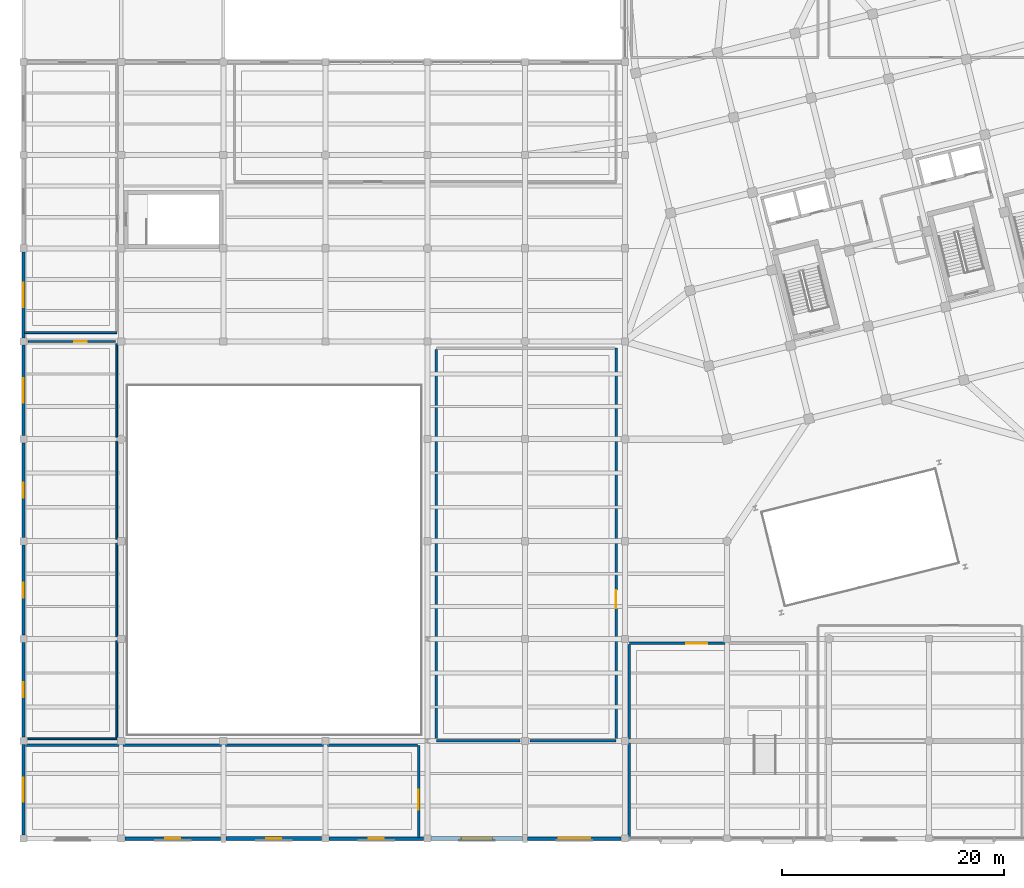
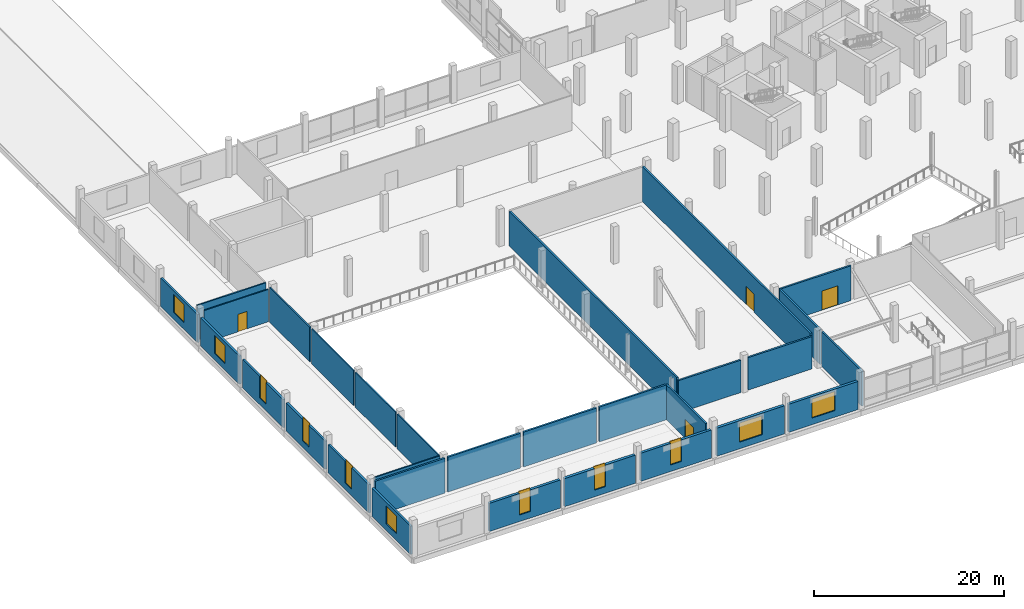
# One storey, part 56 of 71: 30 walls, 11 windows, 4 doors, 15 openings.
"""IFC4 building model written with IfcOpenShell, lengths in metres."""

from ifc_helpers import new_model, si_unit, direction, frame, frame_2d, origin, place, context, subcontext, project, spatial, rectangle, extrude, material, layer, layer_set, type_object, element, fill, save


model = new_model("IFC4")

# Units and contexts
model_context = context("Model", 3, precision=1e-05, world=origin(), true_north=direction((0.0, 1.0)))
body_context = subcontext(model_context, "Body", "Model", "MODEL_VIEW")
ifc_project = project(units=[si_unit("LENGTHUNIT", "METRE"), si_unit("AREAUNIT", "SQUARE_METRE"), si_unit("VOLUMEUNIT", "CUBIC_METRE"), si_unit("PLANEANGLEUNIT", "RADIAN"), si_unit("MASSUNIT", "GRAM", prefix="KILO")], contexts=[model_context])

# Site, building, storey
site_placement = place(None, origin())
site = spatial("IfcSite", under=ifc_project, at=site_placement, CompositionType="ELEMENT")
building_placement = place(site_placement, origin())
building = spatial("IfcBuilding", under=site, at=building_placement, Name="Meriwether Solvik Hall", CompositionType="ELEMENT")
storey_placement = place(building_placement, frame((0.0, 0.0, 5.10009765625)))
storey = spatial("IfcBuildingStorey", under=building, at=storey_placement, Name="L01", CompositionType="ELEMENT", Elevation=5.10009765625)

# Wall, opening, door
ifc_material_1 = material(Name="Acoustic Mineral-Wool Double Gypsum Board", Category="gypsum")
ifc_layer_1 = layer(ifc_material_1, 0.219970703125)
ifc_layer_set_1 = layer_set([ifc_layer_1], Name="Acoustic Mineral-Wool Double Gypsum Board")
wall_type_1 = type_object("IfcWallType", Name="WALL-ACST-220", PredefinedType="PARTITIONING", material=ifc_layer_set_1)
wall_1_placement = place(storey_placement, frame((40.800048828125, 5.300048828125, 0.0), z_axis=(0.0, 0.0, 1.0), x_axis=(0.0, 1.0, 0.0)))
wall_1 = element("IfcWall", 1, at=wall_1_placement, inside=storey, type_object=wall_type_1, Name="L01 Interior Partition choir_l01_e", PredefinedType="PARTITIONING", context=body_context, shape_type="SweptSolid", body=[
    extrude(rectangle(XDim=8.300048828125, YDim=0.219970703125, at=frame_2d((4.14990234375, 0.0))), origin(), (0.0, 0.0, 1.0), 4.469970703125),
])
opening_1_placement = place(wall_1_placement, frame((2.493896484375, 0.0, 0.0)))
opening_1 = element("IfcOpeningElement", 2, at=opening_1_placement, cuts=wall_1, Name="Opening D-182", PredefinedType="OPENING", context=body_context, shape_type="SweptSolid", body=[
    extrude(rectangle(XDim=1.800048828125, YDim=2.449951171875, at=frame_2d((0.89990234375, 1.22509765625))), frame((0.0, 0.1220703125, 0.0), z_axis=(0.0, -1.0, 0.0), x_axis=(1.0, 0.0, 0.0)), (0.0, 0.0, 1.0), 0.243896484375),
])
ifc_material_2 = material(Name="Solid-Core Rift White Oak Timber", Category="wood")
door_type_1 = type_object("IfcDoorType", Name="DR-AC-1800", OperationType="DOUBLE_DOOR_SINGLE_SWING", PredefinedType="DOOR", material=ifc_material_2)
door_1_placement = place(opening_1_placement, origin())
door_1 = element("IfcDoor", 3, at=door_1_placement, inside=storey, type_object=door_type_1, Name="Choir Rehearsal Studio Door", OperationType="DOUBLE_DOOR_SINGLE_SWING", OverallHeight=2.449951171875, OverallWidth=1.800048828125, PredefinedType="DOOR", context=body_context, shape_type="SweptSolid", body=[
    extrude(rectangle(XDim=1.800048828125, YDim=2.449951171875, at=frame_2d((0.89990234375, 1.22509765625))), frame((0.0, 0.02490234375, 0.0), z_axis=(0.0, -1.0, 0.0), x_axis=(1.0, 0.0, 0.0)), (0.0, 0.0, 1.0), 0.050048828125),
])
fill(opening_1, door_1)

# Walls
wall_2_placement = place(storey_placement, frame((40.679931640625, 13.60009765625, 0.0), z_axis=(0.0, 0.0, 1.0), x_axis=(-1.0, 0.0, 0.0)))
element("IfcWall", 4, at=wall_2_placement, inside=storey, type_object=wall_type_1, Name="L01 Interior Partition choir_l01_n", PredefinedType="PARTITIONING", context=body_context, shape_type="SweptSolid", body=[
    extrude(rectangle(XDim=8.099365234375, YDim=0.219970703125, at=frame_2d((4.0498046875, 0.0))), origin(), (0.0, 0.0, 1.0), 4.469970703125),
])
for number, where, z_axis, x_axis, name in (
    (5, (32.219482421875, 13.60009765625, 0.0), (0.0, 0.0, 1.0), (-1.0, 0.0, 0.0), "L01 Interior Partition choir_l01_n_s2"),
    (6, (23.01953125, 13.60009765625, 0.0), (0.0, 0.0, 1.0), (-1.0, 0.0, 0.0), "L01 Interior Partition choir_l01_n_s3"),
):
    element("IfcWall", number, at=place(storey_placement, frame(where, z_axis=z_axis, x_axis=x_axis)), inside=storey, type_object=wall_type_1, Name=name, PredefinedType="PARTITIONING", context=body_context, shape_type="SweptSolid", body=[
        extrude(rectangle(XDim=8.8388671875, YDim=0.219970703125, at=frame_2d((4.41943359375, 0.0))), origin(), (0.0, 0.0, 1.0), 4.469970703125),
    ])
wall_3_placement = place(storey_placement, frame((13.8193359375, 13.60009765625, 0.0), z_axis=(0.0, 0.0, 1.0), x_axis=(-1.0, 0.0, 0.0)))
element("IfcWall", 7, at=wall_3_placement, inside=storey, type_object=wall_type_1, Name="L01 Interior Partition choir_l01_n_s4", PredefinedType="PARTITIONING", context=body_context, shape_type="SweptSolid", body=[
    extrude(rectangle(XDim=8.438720703125, YDim=0.219970703125, at=frame_2d((4.21923828125, 0.0))), origin(), (0.0, 0.0, 1.0), 4.469970703125),
])
wall_4_placement = place(storey_placement, frame((42.39990234375, 14.0, 0.0), z_axis=(0.0, 0.0, 1.0), x_axis=(1.0, 0.0, 0.0)))
element("IfcWall", 8, at=wall_4_placement, inside=storey, type_object=wall_type_1, Name="L01 Interior Partition ac_media_s", PredefinedType="PARTITIONING", context=body_context, shape_type="SweptSolid", body=[
    extrude(rectangle(XDim=7.56005859375, YDim=0.219970703125, at=frame_2d((3.780029296875, 0.0))), origin(), (0.0, 0.0, 1.0), 4.15673828125),
])
wall_5_placement = place(storey_placement, frame((50.840087890625, 14.0, 0.0), z_axis=(0.0, 0.0, 1.0), x_axis=(1.0, 0.0, 0.0)))
element("IfcWall", 9, at=wall_5_placement, inside=storey, type_object=wall_type_1, Name="L01 Interior Partition ac_media_s_s2", PredefinedType="PARTITIONING", context=body_context, shape_type="SweptSolid", body=[
    extrude(rectangle(XDim=7.760009765625, YDim=0.219970703125, at=frame_2d((3.8798828125, 0.0))), origin(), (0.0, 0.0, 1.0), 4.1552734375),
])

# Wall, opening, door
wall_6_placement = place(storey_placement, frame((58.60009765625, 14.1201171875, 0.0), z_axis=(0.0, 0.0, 1.0), x_axis=(0.0, 1.0, 0.0)))
wall_6 = element("IfcWall", 10, at=wall_6_placement, inside=storey, type_object=wall_type_1, Name="L01 Interior Partition ac_media_e", PredefinedType="PARTITIONING", context=body_context, shape_type="SweptSolid", body=[
    extrude(rectangle(XDim=35.27978515625, YDim=0.219970703125, at=frame_2d((17.639892578125, 0.0))), origin(), (0.0, 0.0, 1.0), 4.469970703125),
])
opening_2_placement = place(wall_6_placement, frame((11.82470703125, 0.0, 0.0)))
opening_2 = element("IfcOpeningElement", 11, at=opening_2_placement, cuts=wall_6, Name="Opening D-137", PredefinedType="OPENING", context=body_context, shape_type="SweptSolid", body=[
    extrude(rectangle(XDim=1.64990234375, YDim=2.35009765625, at=frame_2d((0.824951171875, 1.175048828125))), frame((0.0, 0.1220703125, 0.0), z_axis=(0.0, -1.0, 0.0), x_axis=(1.0, 0.0, 0.0)), (0.0, 0.0, 1.0), 0.243896484375),
])
ifc_material_3 = material(Name="Laminated Vision Glass and Solid White Oak Timber", Category="wood")
door_type_2 = type_object("IfcDoorType", Name="DR-INT-1650", OperationType="DOUBLE_DOOR_SINGLE_SWING", PredefinedType="DOOR", material=ifc_material_3)
door_2_placement = place(opening_2_placement, origin())
door_2 = element("IfcDoor", 12, at=door_2_placement, inside=storey, type_object=door_type_2, Name="Civic Broadcast and Media Suite Door", OperationType="DOUBLE_DOOR_SINGLE_SWING", OverallHeight=2.35009765625, OverallWidth=1.64990234375, PredefinedType="DOOR", context=body_context, shape_type="SweptSolid", body=[
    extrude(rectangle(XDim=1.64990234375, YDim=2.35009765625, at=frame_2d((0.824951171875, 1.175048828125))), frame((0.0, 0.02490234375, 0.0), z_axis=(0.0, -1.0, 0.0), x_axis=(1.0, 0.0, 0.0)), (0.0, 0.0, 1.0), 0.050048828125),
])
fill(opening_2, door_2)

# Wall
wall_7_placement = place(storey_placement, frame((42.39990234375, 49.280029296875, 0.0), z_axis=(0.0, 0.0, 1.0), x_axis=(0.0, -1.0, 0.0)))
element("IfcWall", 13, at=wall_7_placement, inside=storey, type_object=wall_type_1, Name="L01 Interior Partition ac_media_w", PredefinedType="PARTITIONING", context=body_context, shape_type="SweptSolid", body=[
    extrude(rectangle(XDim=35.159912109375, YDim=0.219970703125, at=frame_2d((17.580078125, 0.0))), origin(), (0.0, 0.0, 1.0), 4.469970703125),
])

# Wall, opening, door
wall_8_placement = place(storey_placement, frame((59.800048828125, 22.800048828125, 0.0), z_axis=(0.0, 0.0, 1.0), x_axis=(1.0, 0.0, 0.0)))
wall_8 = element("IfcWall", 14, at=wall_8_placement, inside=storey, type_object=wall_type_1, Name="L01 Interior Partition rehearsal_n", PredefinedType="PARTITIONING", context=body_context, shape_type="SweptSolid", body=[
    extrude(rectangle(XDim=8.619384765625, YDim=0.219970703125, at=frame_2d((4.3095703125, 0.0))), origin(), (0.0, 0.0, 1.0), 4.469970703125),
])
opening_3_placement = place(wall_8_placement, frame((5.10009765625, 0.0, 0.0)))
opening_3 = element("IfcOpeningElement", 15, at=opening_3_placement, cuts=wall_8, Name="Opening D-156", PredefinedType="OPENING", context=body_context, shape_type="SweptSolid", body=[
    extrude(rectangle(XDim=1.89990234375, YDim=2.449951171875, at=frame_2d((0.949951171875, 1.22509765625))), frame((0.0, 0.1220703125, 0.0), z_axis=(0.0, -1.0, 0.0), x_axis=(1.0, 0.0, 0.0)), (0.0, 0.0, 1.0), 0.243896484375),
])
ifc_material_4 = material(Name="Solid-Core Rift White Oak Timber", Category="wood")
door_type_3 = type_object("IfcDoorType", Name="DR-HALL-1900", OperationType="DOUBLE_DOOR_SINGLE_SWING", PredefinedType="DOOR", material=ifc_material_4)
door_3_placement = place(opening_3_placement, origin())
door_3 = element("IfcDoor", 16, at=door_3_placement, inside=storey, type_object=door_type_3, Name="Smaller Community Hall Door", OperationType="DOUBLE_DOOR_SINGLE_SWING", OverallHeight=2.449951171875, OverallWidth=1.89990234375, PredefinedType="DOOR", context=body_context, shape_type="SweptSolid", body=[
    extrude(rectangle(XDim=1.89990234375, YDim=2.449951171875, at=frame_2d((0.949951171875, 1.22509765625))), frame((0.0, 0.02490234375, 0.0), z_axis=(0.0, -1.0, 0.0), x_axis=(1.0, 0.0, 0.0)), (0.0, 0.0, 1.0), 0.050048828125),
])
fill(opening_3, door_3)

# Walls
wall_9_placement = place(storey_placement, frame((59.800048828125, 22.679931640625, 0.0), z_axis=(0.0, 0.0, 1.0), x_axis=(0.0, -1.0, 0.0)))
element("IfcWall", 17, at=wall_9_placement, inside=storey, type_object=wall_type_1, Name="L01 Interior Partition rehearsal_w", PredefinedType="PARTITIONING", context=body_context, shape_type="SweptSolid", body=[
    extrude(rectangle(XDim=8.499267578125, YDim=0.219970703125, at=frame_2d((4.24951171875, 0.0))), origin(), (0.0, 0.0, 1.0), 4.469970703125),
])
wall_10_placement = place(storey_placement, frame((59.800048828125, 13.8193359375, 0.0), z_axis=(0.0, 0.0, 1.0), x_axis=(0.0, -1.0, 0.0)))
element("IfcWall", 18, at=wall_10_placement, inside=storey, type_object=wall_type_1, Name="L01 Interior Partition rehearsal_w_s2", PredefinedType="PARTITIONING", context=body_context, shape_type="SweptSolid", body=[
    extrude(rectangle(XDim=8.438720703125, YDim=0.219970703125, at=frame_2d((4.21923828125, 0.0))), origin(), (0.0, 0.0, 1.0), 4.469970703125),
])
ifc_material_5 = material(Name="Double-Layer Acoustic Gypsum Board", Category="gypsum")
ifc_layer_2 = layer(ifc_material_5, 0.1650390625)
ifc_layer_set_2 = layer_set([ifc_layer_2], Name="Double-Layer Acoustic Gypsum Board")
wall_type_2 = type_object("IfcWallType", Name="WALL-DEM-165", PredefinedType="PARTITIONING", material=ifc_layer_set_2)
wall_11_placement = place(storey_placement, frame((5.300048828125, 50.800048828125, 0.0), z_axis=(0.0, 0.0, 1.0), x_axis=(1.0, 0.0, 0.0)))
element("IfcWall", 19, at=wall_11_placement, inside=storey, type_object=wall_type_2, Name="L01 Interior Partition music_adm_s", PredefinedType="PARTITIONING", context=body_context, shape_type="SweptSolid", body=[
    extrude(rectangle(XDim=8.300048828125, YDim=0.1650390625, at=frame_2d((4.14990234375, 0.0))), origin(), (0.0, 0.0, 1.0), 4.469970703125),
])

# Wall, opening, window
ifc_material_6 = material(Name="Terracotta Cladding on Concrete C40/50", Category="masonry")
ifc_layer_3 = layer(ifc_material_6, 0.2548828125)
ifc_layer_set_3 = layer_set([ifc_layer_3], Name="Terracotta Cladding on Concrete C40/50")
wall_type_3 = type_object("IfcWallType", Name="WALL-EXT-255", PredefinedType="SOLIDWALL", material=ifc_layer_set_3)
wall_12_placement = place(storey_placement, frame((5.199951171875, 5.537109375, 0.0), z_axis=(0.0, 0.0, 1.0), x_axis=(0.0, 1.0, 0.0)))
wall_12 = element("IfcWall", 20, at=wall_12_placement, inside=storey, type_object=wall_type_3, Name="L01 W Wing Facade Wall Y1_1_36", PredefinedType="SOLIDWALL", context=body_context, shape_type="SweptSolid", body=[
    extrude(rectangle(XDim=8.1259765625, YDim=0.2548828125, at=frame_2d((4.06298828125, 0.0))), origin(), (0.0, 0.0, 1.0), 3.60986328125),
])
opening_4_placement = place(wall_12_placement, frame((2.962890625, 0.0, 0.85009765625)))
opening_4 = element("IfcOpeningElement", 21, at=opening_4_placement, cuts=wall_12, Name="Opening WN-175", PredefinedType="OPENING", context=body_context, shape_type="SweptSolid", body=[
    extrude(rectangle(XDim=2.199951171875, YDim=2.300048828125, at=frame_2d((1.10009765625, 1.14990234375))), frame((0.0, 0.139404296875, 0.0), z_axis=(0.0, -1.0, 0.0), x_axis=(1.0, 0.0, 0.0)), (0.0, 0.0, 1.0), 0.27880859375),
])
ifc_material_7 = material(Name="Thermally Broken Anodised Aluminium and Triple Low-E Glass", Category="aluminium")
window_type_1 = type_object("IfcWindowType", Name="WIN-POD-WEST-220X230", PartitioningType="SINGLE_PANEL", PredefinedType="WINDOW", material=ifc_material_7)
window_1_placement = place(opening_4_placement, origin())
window_1 = element("IfcWindow", 22, at=window_1_placement, inside=storey, type_object=window_type_1, Name="L01 W Window Y1_1_36", OverallHeight=2.300048828125, OverallWidth=2.199951171875, PartitioningType="SINGLE_PANEL", PredefinedType="WINDOW", context=body_context, shape_type="SweptSolid", body=[
    extrude(rectangle(XDim=2.199951171875, YDim=2.300048828125, at=frame_2d((1.10009765625, 1.14990234375))), frame((0.0, 0.030029296875, 0.0), z_axis=(0.0, -1.0, 0.0), x_axis=(1.0, 0.0, 0.0)), (0.0, 0.0, 1.0), 0.06005859375),
])
fill(opening_4, window_1)

wall_13_placement = place(storey_placement, frame((5.199951171875, 14.3369140625, 0.0), z_axis=(0.0, 0.0, 1.0), x_axis=(0.0, 1.0, 0.0)))
wall_13 = element("IfcWall", 23, at=wall_13_placement, inside=storey, type_object=wall_type_3, Name="L01 W Wing Facade Wall Y1_2_37", PredefinedType="SOLIDWALL", context=body_context, shape_type="SweptSolid", body=[
    extrude(rectangle(XDim=8.526123046875, YDim=0.2548828125, at=frame_2d((4.26318359375, 0.0))), origin(), (0.0, 0.0, 1.0), 3.60986328125),
])
opening_5_placement = place(wall_13_placement, frame((3.587890625, 0.0, 0.85009765625)))
opening_5 = element("IfcOpeningElement", 24, at=opening_5_placement, cuts=wall_13, Name="Opening WN-141", PredefinedType="OPENING", context=body_context, shape_type="SweptSolid", body=[
    extrude(rectangle(XDim=1.35009765625, YDim=2.949951171875, at=frame_2d((0.675048828125, 1.47509765625))), frame((0.0, 0.139404296875, 0.0), z_axis=(0.0, -1.0, 0.0), x_axis=(1.0, 0.0, 0.0)), (0.0, 0.0, 1.0), 0.27880859375),
])
ifc_material_8 = material(Name="Thermally Broken Anodised Aluminium and Triple Low-E Glass", Category="aluminium")
window_type_2 = type_object("IfcWindowType", Name="WIN-SANC-135X295", PartitioningType="SINGLE_PANEL", PredefinedType="WINDOW", material=ifc_material_8)
window_2_placement = place(opening_5_placement, origin())
window_2 = element("IfcWindow", 25, at=window_2_placement, inside=storey, type_object=window_type_2, Name="L01 W Window Y1_2_37", OverallHeight=2.949951171875, OverallWidth=1.35009765625, PartitioningType="SINGLE_PANEL", PredefinedType="WINDOW", context=body_context, shape_type="SweptSolid", body=[
    extrude(rectangle(XDim=1.35009765625, YDim=2.949951171875, at=frame_2d((0.675048828125, 1.47509765625))), frame((0.0, 0.030029296875, 0.0), z_axis=(0.0, -1.0, 0.0), x_axis=(1.0, 0.0, 0.0)), (0.0, 0.0, 1.0), 0.06005859375),
])
fill(opening_5, window_2)

wall_14_placement = place(storey_placement, frame((5.199951171875, 23.537109375, 0.0), z_axis=(0.0, 0.0, 1.0), x_axis=(0.0, 1.0, 0.0)))
wall_14 = element("IfcWall", 26, at=wall_14_placement, inside=storey, type_object=wall_type_3, Name="L01 W Wing Facade Wall Y1_3_38", PredefinedType="SOLIDWALL", context=body_context, shape_type="SweptSolid", body=[
    extrude(rectangle(XDim=8.1259765625, YDim=0.2548828125, at=frame_2d((4.06298828125, 0.0))), origin(), (0.0, 0.0, 1.0), 3.60986328125),
])
opening_6_placement = place(wall_14_placement, frame((3.387939453125, 0.0, 0.85009765625)))
opening_6 = element("IfcOpeningElement", 27, at=opening_6_placement, cuts=wall_14, Name="Opening WN-141", PredefinedType="OPENING", context=body_context, shape_type="SweptSolid", body=[
    extrude(rectangle(XDim=1.35009765625, YDim=2.949951171875, at=frame_2d((0.675048828125, 1.47509765625))), frame((0.0, 0.139404296875, 0.0), z_axis=(0.0, -1.0, 0.0), x_axis=(1.0, 0.0, 0.0)), (0.0, 0.0, 1.0), 0.27880859375),
])
window_3_placement = place(opening_6_placement, origin())
window_3 = element("IfcWindow", 28, at=window_3_placement, inside=storey, type_object=window_type_2, Name="L01 W Window Y1_3_38", OverallHeight=2.949951171875, OverallWidth=1.35009765625, PartitioningType="SINGLE_PANEL", PredefinedType="WINDOW", context=body_context, shape_type="SweptSolid", body=[
    extrude(rectangle(XDim=1.35009765625, YDim=2.949951171875, at=frame_2d((0.675048828125, 1.47509765625))), frame((0.0, 0.030029296875, 0.0), z_axis=(0.0, -1.0, 0.0), x_axis=(1.0, 0.0, 0.0)), (0.0, 0.0, 1.0), 0.06005859375),
])
fill(opening_6, window_3)

wall_15_placement = place(storey_placement, frame((5.199951171875, 32.3369140625, 0.0), z_axis=(0.0, 0.0, 1.0), x_axis=(0.0, 1.0, 0.0)))
wall_15 = element("IfcWall", 29, at=wall_15_placement, inside=storey, type_object=wall_type_3, Name="L01 W Wing Facade Wall Y1_4_39", PredefinedType="SOLIDWALL", context=body_context, shape_type="SweptSolid", body=[
    extrude(rectangle(XDim=8.526123046875, YDim=0.2548828125, at=frame_2d((4.26318359375, 0.0))), origin(), (0.0, 0.0, 1.0), 3.60986328125),
])
opening_7_placement = place(wall_15_placement, frame((3.587890625, 0.0, 0.85009765625)))
opening_7 = element("IfcOpeningElement", 30, at=opening_7_placement, cuts=wall_15, Name="Opening WN-141", PredefinedType="OPENING", context=body_context, shape_type="SweptSolid", body=[
    extrude(rectangle(XDim=1.35009765625, YDim=2.949951171875, at=frame_2d((0.675048828125, 1.47509765625))), frame((0.0, 0.139404296875, 0.0), z_axis=(0.0, -1.0, 0.0), x_axis=(1.0, 0.0, 0.0)), (0.0, 0.0, 1.0), 0.27880859375),
])
window_4_placement = place(opening_7_placement, origin())
window_4 = element("IfcWindow", 31, at=window_4_placement, inside=storey, type_object=window_type_2, Name="L01 W Window Y1_4_39", OverallHeight=2.949951171875, OverallWidth=1.35009765625, PartitioningType="SINGLE_PANEL", PredefinedType="WINDOW", context=body_context, shape_type="SweptSolid", body=[
    extrude(rectangle(XDim=1.35009765625, YDim=2.949951171875, at=frame_2d((0.675048828125, 1.47509765625))), frame((0.0, 0.030029296875, 0.0), z_axis=(0.0, -1.0, 0.0), x_axis=(1.0, 0.0, 0.0)), (0.0, 0.0, 1.0), 0.06005859375),
])
fill(opening_7, window_4)

wall_16_placement = place(storey_placement, frame((5.199951171875, 41.537109375, 0.0), z_axis=(0.0, 0.0, 1.0), x_axis=(0.0, 1.0, 0.0)))
wall_16 = element("IfcWall", 32, at=wall_16_placement, inside=storey, type_object=wall_type_3, Name="L01 W Wing Facade Wall Y1_5_40", PredefinedType="SOLIDWALL", context=body_context, shape_type="SweptSolid", body=[
    extrude(rectangle(XDim=8.1259765625, YDim=0.2548828125, at=frame_2d((4.06298828125, 0.0))), origin(), (0.0, 0.0, 1.0), 3.60986328125),
])
opening_8_placement = place(wall_16_placement, frame((2.962890625, 0.0, 0.85009765625)))
opening_8 = element("IfcOpeningElement", 33, at=opening_8_placement, cuts=wall_16, Name="Opening WN-175", PredefinedType="OPENING", context=body_context, shape_type="SweptSolid", body=[
    extrude(rectangle(XDim=2.199951171875, YDim=2.300048828125, at=frame_2d((1.10009765625, 1.14990234375))), frame((0.0, 0.139404296875, 0.0), z_axis=(0.0, -1.0, 0.0), x_axis=(1.0, 0.0, 0.0)), (0.0, 0.0, 1.0), 0.27880859375),
])
window_5_placement = place(opening_8_placement, origin())
window_5 = element("IfcWindow", 34, at=window_5_placement, inside=storey, type_object=window_type_1, Name="L01 W Window Y1_5_40", OverallHeight=2.300048828125, OverallWidth=2.199951171875, PartitioningType="SINGLE_PANEL", PredefinedType="WINDOW", context=body_context, shape_type="SweptSolid", body=[
    extrude(rectangle(XDim=2.199951171875, YDim=2.300048828125, at=frame_2d((1.10009765625, 1.14990234375))), frame((0.0, 0.030029296875, 0.0), z_axis=(0.0, -1.0, 0.0), x_axis=(1.0, 0.0, 0.0)), (0.0, 0.0, 1.0), 0.06005859375),
])
fill(opening_8, window_5)

wall_17_placement = place(storey_placement, frame((5.199951171875, 50.3369140625, 0.0), z_axis=(0.0, 0.0, 1.0), x_axis=(0.0, 1.0, 0.0)))
wall_17 = element("IfcWall", 35, at=wall_17_placement, inside=storey, type_object=wall_type_3, Name="L01 W Wing Facade Wall Y1_6_41", PredefinedType="SOLIDWALL", context=body_context, shape_type="SweptSolid", body=[
    extrude(rectangle(XDim=7.72607421875, YDim=0.2548828125, at=frame_2d((3.863037109375, 0.0))), origin(), (0.0, 0.0, 1.0), 3.60986328125),
])
opening_9_placement = place(wall_17_placement, frame((2.762939453125, 0.0, 0.85009765625)))
opening_9 = element("IfcOpeningElement", 36, at=opening_9_placement, cuts=wall_17, Name="Opening WN-175", PredefinedType="OPENING", context=body_context, shape_type="SweptSolid", body=[
    extrude(rectangle(XDim=2.199951171875, YDim=2.300048828125, at=frame_2d((1.10009765625, 1.14990234375))), frame((0.0, 0.139404296875, 0.0), z_axis=(0.0, -1.0, 0.0), x_axis=(1.0, 0.0, 0.0)), (0.0, 0.0, 1.0), 0.27880859375),
])
window_6_placement = place(opening_9_placement, origin())
window_6 = element("IfcWindow", 37, at=window_6_placement, inside=storey, type_object=window_type_1, Name="L01 W Window Y1_6_41", OverallHeight=2.300048828125, OverallWidth=2.199951171875, PartitioningType="SINGLE_PANEL", PredefinedType="WINDOW", context=body_context, shape_type="SweptSolid", body=[
    extrude(rectangle(XDim=2.199951171875, YDim=2.300048828125, at=frame_2d((1.10009765625, 1.14990234375))), frame((0.0, 0.030029296875, 0.0), z_axis=(0.0, -1.0, 0.0), x_axis=(1.0, 0.0, 0.0)), (0.0, 0.0, 1.0), 0.06005859375),
])
fill(opening_9, window_6)

ifc_material_9 = material(Name="Concrete C40/50 Precast", Category="concrete")
ifc_layer_4 = layer(ifc_material_9, 0.31494140625)
ifc_layer_set_4 = layer_set([ifc_layer_4], Name="Concrete C40/50 Precast")
wall_type_4 = type_object("IfcWallType", Name="WALL-EXT-315", PredefinedType="SOLIDWALL", material=ifc_layer_set_4)
wall_18_placement = place(storey_placement, frame((22.962890625, 5.199951171875, 0.0), z_axis=(0.0, 0.0, 1.0), x_axis=(-1.0, 0.0, 0.0)))
wall_18 = element("IfcWall", 38, at=wall_18_placement, inside=storey, type_object=wall_type_4, Name="L01 S Wing Facade Wall XA_2_1", PredefinedType="SOLIDWALL", context=body_context, shape_type="SweptSolid", body=[
    extrude(rectangle(XDim=8.6259765625, YDim=0.31494140625, at=frame_2d((4.31298828125, 0.0))), origin(), (0.0, 0.0, 1.0), 3.60986328125),
])
opening_10_placement = place(wall_18_placement, frame((3.637939453125, 0.0, 0.85009765625)))
opening_10 = element("IfcOpeningElement", 39, at=opening_10_placement, cuts=wall_18, Name="Opening WN-141", PredefinedType="OPENING", context=body_context, shape_type="SweptSolid", body=[
    extrude(rectangle(XDim=1.35009765625, YDim=2.949951171875, at=frame_2d((0.675048828125, 1.47509765625))), frame((0.0, 0.16943359375, 0.0), z_axis=(0.0, -1.0, 0.0), x_axis=(1.0, 0.0, 0.0)), (0.0, 0.0, 1.0), 0.3388671875),
])
window_7_placement = place(opening_10_placement, origin())
window_7 = element("IfcWindow", 40, at=window_7_placement, inside=storey, type_object=window_type_2, Name="L01 S Window XA_2_1", OverallHeight=2.949951171875, OverallWidth=1.35009765625, PartitioningType="SINGLE_PANEL", PredefinedType="WINDOW", context=body_context, shape_type="SweptSolid", body=[
    extrude(rectangle(XDim=1.35009765625, YDim=2.949951171875, at=frame_2d((0.675048828125, 1.47509765625))), frame((0.0, 0.030029296875, 0.0), z_axis=(0.0, -1.0, 0.0), x_axis=(1.0, 0.0, 0.0)), (0.0, 0.0, 1.0), 0.06005859375),
])
fill(opening_10, window_7)

wall_19_placement = place(storey_placement, frame((41.262939453125, 5.199951171875, 0.0), z_axis=(0.0, 0.0, 1.0), x_axis=(-1.0, 0.0, 0.0)))
wall_19 = element("IfcWall", 41, at=wall_19_placement, inside=storey, type_object=wall_type_4, Name="L01 S Wing Facade Wall XA_4_3", PredefinedType="SOLIDWALL", context=body_context, shape_type="SweptSolid", body=[
    extrude(rectangle(XDim=8.52587890625, YDim=0.31494140625, at=frame_2d((4.262939453125, 0.0))), origin(), (0.0, 0.0, 1.0), 3.60986328125),
])
opening_11_placement = place(wall_19_placement, frame((3.587890625, 0.0, 0.85009765625)))
opening_11 = element("IfcOpeningElement", 42, at=opening_11_placement, cuts=wall_19, Name="Opening WN-141", PredefinedType="OPENING", context=body_context, shape_type="SweptSolid", body=[
    extrude(rectangle(XDim=1.35009765625, YDim=2.949951171875, at=frame_2d((0.675048828125, 1.47509765625))), frame((0.0, 0.16943359375, 0.0), z_axis=(0.0, -1.0, 0.0), x_axis=(1.0, 0.0, 0.0)), (0.0, 0.0, 1.0), 0.3388671875),
])
window_8_placement = place(opening_11_placement, origin())
window_8 = element("IfcWindow", 43, at=window_8_placement, inside=storey, type_object=window_type_2, Name="L01 S Window XA_4_3", OverallHeight=2.949951171875, OverallWidth=1.35009765625, PartitioningType="SINGLE_PANEL", PredefinedType="WINDOW", context=body_context, shape_type="SweptSolid", body=[
    extrude(rectangle(XDim=1.35009765625, YDim=2.949951171875, at=frame_2d((0.675048828125, 1.47509765625))), frame((0.0, 0.030029296875, 0.0), z_axis=(0.0, -1.0, 0.0), x_axis=(1.0, 0.0, 0.0)), (0.0, 0.0, 1.0), 0.06005859375),
])
fill(opening_11, window_8)

wall_20_placement = place(storey_placement, frame((59.06298828125, 5.199951171875, 0.0), z_axis=(0.0, 0.0, 1.0), x_axis=(-1.0, 0.0, 0.0)))
wall_20 = element("IfcWall", 44, at=wall_20_placement, inside=storey, type_object=wall_type_4, Name="L01 S Wing Facade Wall XA_6_5", PredefinedType="SOLIDWALL", context=body_context, shape_type="SweptSolid", body=[
    extrude(rectangle(XDim=8.426025390625, YDim=0.31494140625, at=frame_2d((4.212890625, 0.0))), origin(), (0.0, 0.0, 1.0), 3.60986328125),
])
opening_12_placement = place(wall_20_placement, frame((2.81298828125, 0.0, 0.85009765625)))
opening_12 = element("IfcOpeningElement", 45, at=opening_12_placement, cuts=wall_20, Name="Opening WN-165", PredefinedType="OPENING", context=body_context, shape_type="SweptSolid", body=[
    extrude(rectangle(XDim=2.800048828125, YDim=2.449951171875, at=frame_2d((1.39990234375, 1.22509765625))), frame((0.0, 0.16943359375, 0.0), z_axis=(0.0, -1.0, 0.0), x_axis=(1.0, 0.0, 0.0)), (0.0, 0.0, 1.0), 0.3388671875),
])
ifc_material_10 = material(Name="Thermally Broken Anodised Aluminium and Triple Low-E Glass", Category="aluminium")
window_type_3 = type_object("IfcWindowType", Name="WIN-POD-SOUTH-280X245", PartitioningType="SINGLE_PANEL", PredefinedType="WINDOW", material=ifc_material_10)
window_9_placement = place(opening_12_placement, origin())
window_9 = element("IfcWindow", 46, at=window_9_placement, inside=storey, type_object=window_type_3, Name="L01 S Window XA_6_5", OverallHeight=2.449951171875, OverallWidth=2.800048828125, PartitioningType="SINGLE_PANEL", PredefinedType="WINDOW", context=body_context, shape_type="SweptSolid", body=[
    extrude(rectangle(XDim=2.800048828125, YDim=2.449951171875, at=frame_2d((1.39990234375, 1.22509765625))), frame((0.0, 0.030029296875, 0.0), z_axis=(0.0, -1.0, 0.0), x_axis=(1.0, 0.0, 0.0)), (0.0, 0.0, 1.0), 0.06005859375),
])
fill(opening_12, window_9)

ifc_material_11 = material(Name="Concrete C40/50 Precast", Category="concrete")
ifc_layer_5 = layer(ifc_material_11, 0.340087890625)
ifc_layer_set_5 = layer_set([ifc_layer_5], Name="Concrete C40/50 Precast")
wall_type_5 = type_object("IfcWallType", Name="WALL-EXT-340", PredefinedType="SOLIDWALL", material=ifc_layer_set_5)
wall_21_placement = place(storey_placement, frame((32.06298828125, 5.199951171875, 0.0), z_axis=(0.0, 0.0, 1.0), x_axis=(-1.0, 0.0, 0.0)))
wall_21 = element("IfcWall", 47, at=wall_21_placement, inside=storey, type_object=wall_type_5, Name="L01 S Wing Facade Wall XA_3_2", PredefinedType="SOLIDWALL", context=body_context, shape_type="SweptSolid", body=[
    extrude(rectangle(XDim=8.6259765625, YDim=0.340087890625, at=frame_2d((4.31298828125, 0.0))), origin(), (0.0, 0.0, 1.0), 3.60986328125),
])
opening_13_placement = place(wall_21_placement, frame((3.637939453125, 0.0, 0.85009765625)))
opening_13 = element("IfcOpeningElement", 48, at=opening_13_placement, cuts=wall_21, Name="Opening WN-141", PredefinedType="OPENING", context=body_context, shape_type="SweptSolid", body=[
    extrude(rectangle(XDim=1.35009765625, YDim=2.949951171875, at=frame_2d((0.675048828125, 1.47509765625))), frame((0.0, 0.18212890625, 0.0), z_axis=(0.0, -1.0, 0.0), x_axis=(1.0, 0.0, 0.0)), (0.0, 0.0, 1.0), 0.364013671875),
])
window_10_placement = place(opening_13_placement, origin())
window_10 = element("IfcWindow", 49, at=window_10_placement, inside=storey, type_object=window_type_2, Name="L01 S Window XA_3_2", OverallHeight=2.949951171875, OverallWidth=1.35009765625, PartitioningType="SINGLE_PANEL", PredefinedType="WINDOW", context=body_context, shape_type="SweptSolid", body=[
    extrude(rectangle(XDim=1.35009765625, YDim=2.949951171875, at=frame_2d((0.675048828125, 1.47509765625))), frame((0.0, 0.030029296875, 0.0), z_axis=(0.0, -1.0, 0.0), x_axis=(1.0, 0.0, 0.0)), (0.0, 0.0, 1.0), 0.06005859375),
])
fill(opening_13, window_10)

wall_22_placement = place(storey_placement, frame((50.1630859375, 5.199951171875, 0.0), z_axis=(0.0, 0.0, 1.0), x_axis=(-1.0, 0.0, 0.0)))
wall_22 = element("IfcWall", 50, at=wall_22_placement, inside=storey, type_object=wall_type_5, Name="L01 S Wing Facade Wall XA_5_4", PredefinedType="SOLIDWALL", context=body_context, shape_type="SweptSolid", body=[
    extrude(rectangle(XDim=8.22607421875, YDim=0.340087890625, at=frame_2d((4.113037109375, 0.0))), origin(), (0.0, 0.0, 1.0), 3.60986328125),
])
opening_14_placement = place(wall_22_placement, frame((2.712890625, 0.0, 0.85009765625)))
opening_14 = element("IfcOpeningElement", 51, at=opening_14_placement, cuts=wall_22, Name="Opening WN-165", PredefinedType="OPENING", context=body_context, shape_type="SweptSolid", body=[
    extrude(rectangle(XDim=2.800048828125, YDim=2.449951171875, at=frame_2d((1.39990234375, 1.22509765625))), frame((0.0, 0.18212890625, 0.0), z_axis=(0.0, -1.0, 0.0), x_axis=(1.0, 0.0, 0.0)), (0.0, 0.0, 1.0), 0.364013671875),
])
window_11_placement = place(opening_14_placement, origin())
window_11 = element("IfcWindow", 52, at=window_11_placement, inside=storey, type_object=window_type_3, Name="L01 S Window XA_5_4", OverallHeight=2.449951171875, OverallWidth=2.800048828125, PartitioningType="SINGLE_PANEL", PredefinedType="WINDOW", context=body_context, shape_type="SweptSolid", body=[
    extrude(rectangle(XDim=2.800048828125, YDim=2.449951171875, at=frame_2d((1.39990234375, 1.22509765625))), frame((0.0, 0.030029296875, 0.0), z_axis=(0.0, -1.0, 0.0), x_axis=(1.0, 0.0, 0.0)), (0.0, 0.0, 1.0), 0.06005859375),
])
fill(opening_14, window_11)

# Walls
ifc_material_12 = material(Name="Gypsum Board Partition", Category="gypsum")
ifc_layer_6 = layer(ifc_material_12, 0.14990234375)
ifc_layer_set_6 = layer_set([ifc_layer_6], Name="Gypsum Board Partition")
wall_type_6 = type_object("IfcWallType", Name="WALL-PART-150", PredefinedType="PARTITIONING", material=ifc_layer_set_6)
wall_23_placement = place(storey_placement, frame((5.589599609375, 14.199951171875, 0.0), z_axis=(0.0, 0.0, 1.0), x_axis=(1.0, 0.0, 0.0)))
element("IfcWall", 53, at=wall_23_placement, inside=storey, type_object=wall_type_6, Name="L01 Interior Partition w_sem_l01_s", PredefinedType="PARTITIONING", context=body_context, shape_type="SweptSolid", body=[
    extrude(rectangle(XDim=8.010498046875, YDim=0.14990234375, at=frame_2d((4.00537109375, 0.0))), origin(), (0.0, 0.0, 1.0), 4.469970703125),
])
wall_24_placement = place(storey_placement, frame((13.60009765625, 14.320068359375, 0.0), z_axis=(0.0, 0.0, 1.0), x_axis=(0.0, 1.0, 0.0)))
element("IfcWall", 54, at=wall_24_placement, inside=storey, type_object=wall_type_6, Name="L01 Interior Partition w_sem_l01_e", PredefinedType="PARTITIONING", context=body_context, shape_type="SweptSolid", body=[
    extrude(rectangle(XDim=8.699462890625, YDim=0.14990234375, at=frame_2d((4.349609375, 0.0))), origin(), (0.0, 0.0, 1.0), 4.469970703125),
])
wall_25_placement = place(storey_placement, frame((13.60009765625, 23.380615234375, 0.0), z_axis=(0.0, 0.0, 1.0), x_axis=(0.0, 1.0, 0.0)))
element("IfcWall", 55, at=wall_25_placement, inside=storey, type_object=wall_type_6, Name="L01 Interior Partition w_sem_l01_e_s2", PredefinedType="PARTITIONING", context=body_context, shape_type="SweptSolid", body=[
    extrude(rectangle(XDim=8.438720703125, YDim=0.14990234375, at=frame_2d((4.21923828125, 0.0))), origin(), (0.0, 0.0, 1.0), 4.469970703125),
])
wall_26_placement = place(storey_placement, frame((13.60009765625, 32.1806640625, 0.0), z_axis=(0.0, 0.0, 1.0), x_axis=(0.0, 1.0, 0.0)))
element("IfcWall", 56, at=wall_26_placement, inside=storey, type_object=wall_type_6, Name="L01 Interior Partition w_sem_l01_e_s3", PredefinedType="PARTITIONING", context=body_context, shape_type="SweptSolid", body=[
    extrude(rectangle(XDim=8.8388671875, YDim=0.14990234375, at=frame_2d((4.41943359375, 0.0))), origin(), (0.0, 0.0, 1.0), 4.469970703125),
])
wall_27_placement = place(storey_placement, frame((13.60009765625, 41.380615234375, 0.0), z_axis=(0.0, 0.0, 1.0), x_axis=(0.0, 1.0, 0.0)))
element("IfcWall", 57, at=wall_27_placement, inside=storey, type_object=wall_type_6, Name="L01 Interior Partition w_sem_l01_e_s4", PredefinedType="PARTITIONING", context=body_context, shape_type="SweptSolid", body=[
    extrude(rectangle(XDim=8.438720703125, YDim=0.14990234375, at=frame_2d((4.21923828125, 0.0))), origin(), (0.0, 0.0, 1.0), 4.469970703125),
])

# Wall, opening, door
wall_28_placement = place(storey_placement, frame((13.47998046875, 50.0, 0.0), z_axis=(0.0, 0.0, 1.0), x_axis=(-1.0, 0.0, 0.0)))
wall_28 = element("IfcWall", 58, at=wall_28_placement, inside=storey, type_object=wall_type_6, Name="L01 Interior Partition w_sem_l01_n", PredefinedType="PARTITIONING", context=body_context, shape_type="SweptSolid", body=[
    extrude(rectangle(XDim=7.840087890625, YDim=0.14990234375, at=frame_2d((3.919921875, 0.0))), origin(), (0.0, 0.0, 1.0), 4.15673828125),
])
opening_15_placement = place(wall_28_placement, frame((2.608642578125, 0.0, 0.0)))
opening_15 = element("IfcOpeningElement", 59, at=opening_15_placement, cuts=wall_28, Name="Opening D-134", PredefinedType="OPENING", context=body_context, shape_type="SweptSolid", body=[
    extrude(rectangle(XDim=1.10009765625, YDim=2.25, at=frame_2d((0.550048828125, 1.125))), frame((0.0, 0.0869140625, 0.0), z_axis=(0.0, -1.0, 0.0), x_axis=(1.0, 0.0, 0.0)), (0.0, 0.0, 1.0), 0.173828125),
])
ifc_material_13 = material(Name="Laminated Vision Glass and Solid White Oak Timber", Category="wood")
door_type_4 = type_object("IfcDoorType", Name="DR-CLS-1100L", OperationType="SINGLE_SWING_LEFT", PredefinedType="DOOR", material=ifc_material_13)
door_4_placement = place(opening_15_placement, origin())
door_4 = element("IfcDoor", 60, at=door_4_placement, inside=storey, type_object=door_type_4, Name="Interfaith Outreach and Counseling Office Door", OperationType="SINGLE_SWING_LEFT", OverallHeight=2.25, OverallWidth=1.10009765625, PredefinedType="DOOR", context=body_context, shape_type="SweptSolid", body=[
    extrude(rectangle(XDim=1.10009765625, YDim=2.25, at=frame_2d((0.550048828125, 1.125))), frame((0.0, 0.02490234375, 0.0), z_axis=(0.0, -1.0, 0.0), x_axis=(1.0, 0.0, 0.0)), (0.0, 0.0, 1.0), 0.050048828125),
])
fill(opening_15, door_4)

save(model, "model.ifc")
